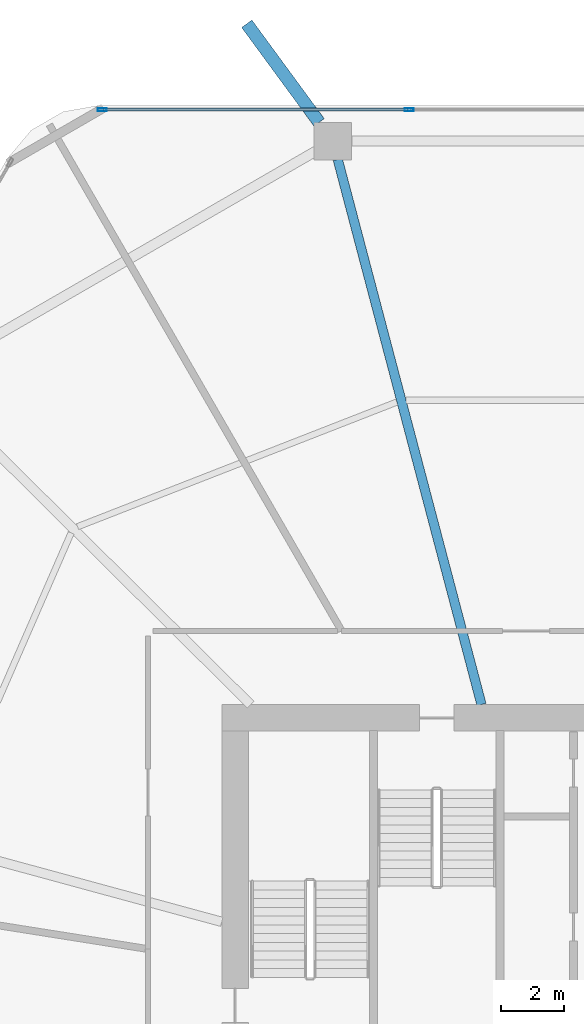
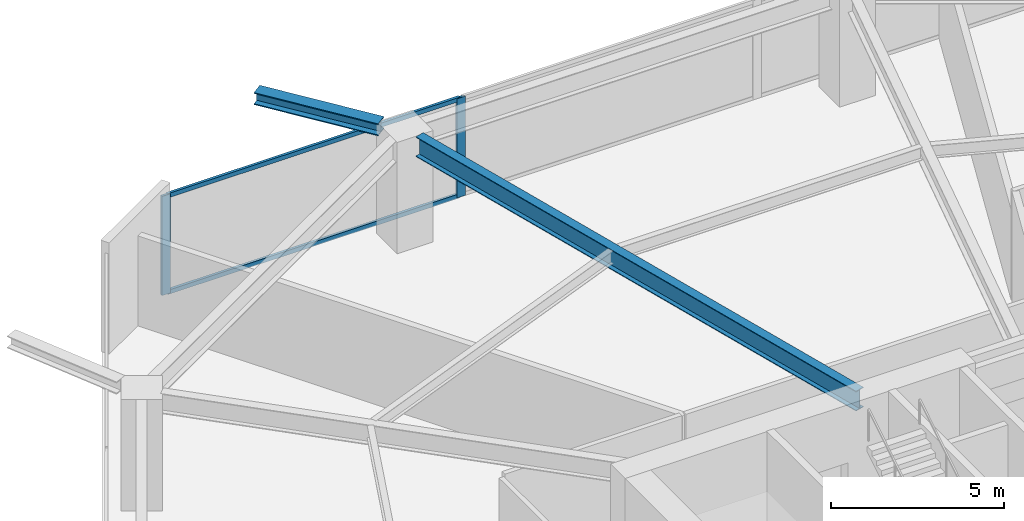
# One storey, part 15 of 25: 4 members, 2 beams, 1 element without a shape of its own.
"""IFC4 building model written with IfcOpenShell, lengths in metres."""

from ifc_helpers import new_model, si_unit, direction, frame, origin, origin_2d, place, context, subcontext, project, spatial, hollow_rectangle, i_section, extrude, material, material_profile, profile_set, type_object, element, aggregate, save


model = new_model("IFC4")

# Units and contexts
model_context = context("Model", 3, precision=1e-05, world=origin(), true_north=direction((0.0, 1.0)))
body_context = subcontext(model_context, "Body", "Model", "MODEL_VIEW")
ifc_project = project(units=[si_unit("LENGTHUNIT", "METRE"), si_unit("AREAUNIT", "SQUARE_METRE"), si_unit("VOLUMEUNIT", "CUBIC_METRE"), si_unit("PLANEANGLEUNIT", "RADIAN"), si_unit("MASSUNIT", "GRAM", prefix="KILO")], contexts=[model_context])

# Site, building, storey
site_placement = place(None, origin())
site = spatial("IfcSite", under=ifc_project, at=site_placement, CompositionType="ELEMENT")
building_placement = place(site_placement, origin())
building = spatial("IfcBuilding", under=site, at=building_placement, Name="Zuhravey Tower", CompositionType="ELEMENT")
storey_placement = place(building_placement, frame((0.0, 0.0, 70.800048828125)))
storey = spatial("IfcBuildingStorey", under=building, at=storey_placement, Name="L17", CompositionType="ELEMENT", Elevation=70.800048828125)

# Curtain wall, members
ifc_material_1 = material(Name="Thermally broken anodised aluminium", Category="aluminium")
curtain_wall_type = type_object("IfcCurtainWallType", Name="School Low-E Unitised Curtain Wall CW1", PredefinedType="NOTDEFINED", material=ifc_material_1)
curtain_wall_placement = place(storey_placement, origin())
curtain_wall = element("IfcCurtainWall", 1, at=curtain_wall_placement, inside=storey, type_object=curtain_wall_type, Name="L17 CW1 CW-L17-F2-1", PredefinedType="NOTDEFINED")
ifc_material_2 = material(Name="Anodised aluminium", Category="aluminium")
ifc_material_profile_1 = material_profile(ifc_material_2, hollow_rectangle(XDim=0.090087890625, YDim=0.284912109375, WallThickness=0.0048828125, at=origin_2d()), Name="ALU-RHS-90x285x5")
ifc_profile_set_1 = profile_set([ifc_material_profile_1], Name="Anodised aluminium")
member_type_1 = type_object("IfcMemberType", Name="Curtain-Wall Mullion 90x180", PredefinedType="MULLION", material=ifc_profile_set_1)
member_1_placement = place(storey_placement, frame((21.24560546875, 60.95849609375, 0.0), z_axis=(0.0, 0.0, 1.0), x_axis=(0.0, 1.0, 0.0)))
member_1 = element("IfcMember", 2, at=member_1_placement, type_object=member_type_1, Name="CW1 mullion 1", PredefinedType="MULLION", context=body_context, shape_type="SweptSolid", body=[
    extrude(hollow_rectangle(XDim=0.090087890625, YDim=0.284912109375, WallThickness=0.0048828125, at=origin_2d()), origin(), (0.0, 0.0, 1.0), 3.491943359375),
])
member_2_placement = place(storey_placement, frame((31.06689453125, 60.95849609375, 0.0), z_axis=(0.0, 0.0, 1.0), x_axis=(0.0, 1.0, 0.0)))
member_2 = element("IfcMember", 3, at=member_2_placement, type_object=member_type_1, Name="CW1 mullion 2", PredefinedType="MULLION", context=body_context, shape_type="SweptSolid", body=[
    extrude(hollow_rectangle(XDim=0.090087890625, YDim=0.284912109375, WallThickness=0.0048828125, at=origin_2d()), origin(), (0.0, 0.0, 1.0), 3.491943359375),
])
ifc_material_profile_2 = material_profile(ifc_material_2, hollow_rectangle(XDim=0.090087890625, YDim=0.14990234375, WallThickness=0.0048828125, at=origin_2d()), Name="ALU-RHS-90x150x5")
ifc_profile_set_2 = profile_set([ifc_material_profile_2], Name="Anodised aluminium")
member_type_2 = type_object("IfcMemberType", Name="Curtain-Wall Transom 90x150", PredefinedType="USERDEFINED", material=ifc_profile_set_2)
member_3_placement = place(storey_placement, frame((21.29052734375, 60.95849609375, 0.044921875), z_axis=(1.0, 0.0, 0.0), x_axis=(0.0, 1.0, 0.0)))
member_3 = element("IfcMember", 4, at=member_3_placement, type_object=member_type_2, Name="CW1 transom 1.1", ObjectType="TRANSOM", PredefinedType="USERDEFINED", context=body_context, shape_type="SweptSolid", body=[
    extrude(hollow_rectangle(XDim=0.090087890625, YDim=0.14990234375, WallThickness=0.0048828125, at=origin_2d()), origin(), (0.0, 0.0, 1.0), 9.731201171875),
])
member_4_placement = place(storey_placement, frame((21.29052734375, 60.95849609375, 3.447021484375), z_axis=(1.0, 0.0, 0.0), x_axis=(0.0, 1.0, 0.0)))
member_4 = element("IfcMember", 5, at=member_4_placement, type_object=member_type_2, Name="CW1 transom 1.2", ObjectType="TRANSOM", PredefinedType="USERDEFINED", context=body_context, shape_type="SweptSolid", body=[
    extrude(hollow_rectangle(XDim=0.090087890625, YDim=0.14990234375, WallThickness=0.0048828125, at=origin_2d()), origin(), (0.0, 0.0, 1.0), 9.731201171875),
])
aggregate(curtain_wall, [member_1, member_2, member_3, member_4])

# Beams
ifc_material_3 = material(Name="Steel SM460", Category="steel")
ifc_material_profile_3 = material_profile(ifc_material_3, i_section(OverallWidth=0.406982421875, OverallDepth=0.427978515625, WebThickness=0.02001953125, FlangeThickness=0.034912109375, at=origin_2d()), Name="H-428x407x20x35")
ifc_profile_set_3 = profile_set([ifc_material_profile_3], Name="Steel SM460")
beam_type_1 = type_object("IfcBeamType", Name="Exoskeleton Node Tie Beam H428x407", PredefinedType="BEAM", material=ifc_profile_set_3)
beam_1_placement = place(storey_placement, frame((28.187255859375, 60.5517578125, 3.7060546875), z_axis=(-0.591671978423, 0.806178807678, 0.0), x_axis=(-0.806178807678, -0.591671978423, 0.0)))
element("IfcBeam", 6, at=beam_1_placement, inside=storey, type_object=beam_type_1, Name="L17 Exoskeleton Node Tie NT1-04", PredefinedType="BEAM", context=body_context, shape_type="SweptSolid", body=[
    extrude(i_section(OverallWidth=0.406982421875, OverallDepth=0.427978515625, WebThickness=0.02001953125, FlangeThickness=0.034912109375, at=origin_2d()), origin(), (0.0, 0.0, 1.0), 3.912841796875),
])
ifc_material_4 = material(Name="Steel SM355", Category="steel")
ifc_material_profile_4 = material_profile(ifc_material_4, i_section(OverallWidth=0.300048828125, OverallDepth=0.699951171875, WebThickness=0.012939453125, FlangeThickness=0.02392578125, at=origin_2d()), Name="H-700x300x13x24")
ifc_profile_set_4 = profile_set([ifc_material_profile_4], Name="Steel SM355")
beam_type_2 = type_object("IfcBeamType", Name="Radial Primary Girder H700x300", PredefinedType="BEAM", material=ifc_profile_set_4)
beam_2_placement = place(storey_placement, frame((33.382080078125, 41.927978515625, 3.570068359375), z_axis=(-0.254989720435, 0.966943763862, 0.0), x_axis=(-0.966943763862, -0.254989720435, 0.0)))
element("IfcBeam", 7, at=beam_2_placement, inside=storey, type_object=beam_type_2, Name="L17 RG1 BM-L17-RAD-04", PredefinedType="BEAM", context=body_context, shape_type="SweptSolid", body=[
    extrude(i_section(OverallWidth=0.300048828125, OverallDepth=0.699951171875, WebThickness=0.012939453125, FlangeThickness=0.02392578125, at=origin_2d()), origin(), (0.0, 0.0, 1.0), 18.03369140625),
])

save(model, "model.ifc")
